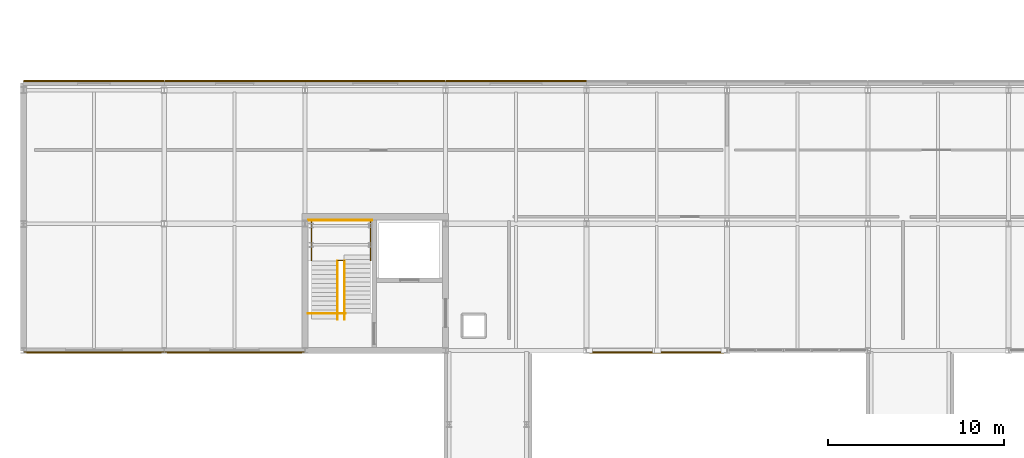
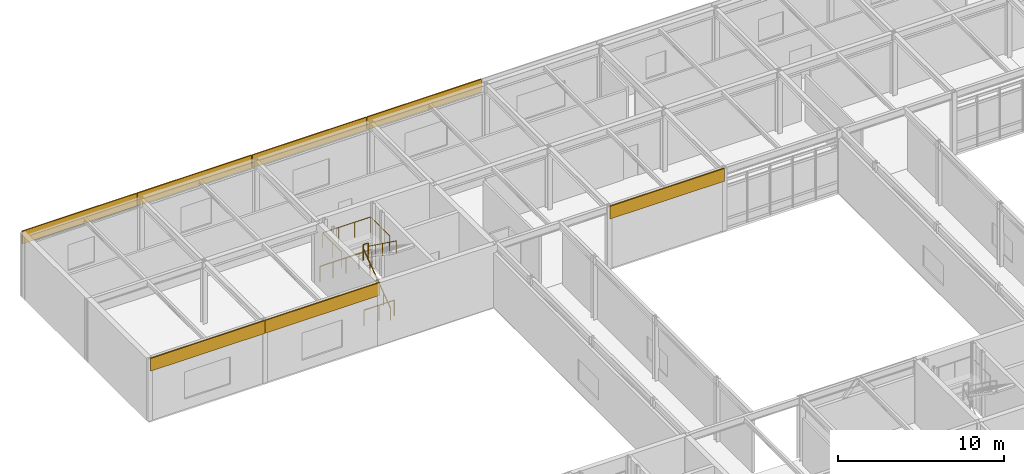
# One storey, part 98 of 104: 7 coverings, 6 railings.
"""IFC4 building model written with IfcOpenShell, lengths in metres."""

from ifc_helpers import new_model, si_unit, direction, frame, origin, origin_2d, place, context, subcontext, project, spatial, rectangle, circle, extrude, material, layer, layer_set, type_object, element, save


model = new_model("IFC4")

# Units and contexts
model_context = context("Model", 3, precision=1e-05, world=origin(), true_north=direction((0.0, 1.0)))
body_context = subcontext(model_context, "Body", "Model", "MODEL_VIEW")
ifc_project = project(units=[si_unit("LENGTHUNIT", "METRE"), si_unit("AREAUNIT", "SQUARE_METRE"), si_unit("VOLUMEUNIT", "CUBIC_METRE"), si_unit("PLANEANGLEUNIT", "RADIAN"), si_unit("MASSUNIT", "GRAM", prefix="KILO")], contexts=[model_context])

# Site, building, storey
site_placement = place(None, origin())
site = spatial("IfcSite", under=ifc_project, at=site_placement, CompositionType="ELEMENT")
building_placement = place(site_placement, origin())
building = spatial("IfcBuilding", under=site, at=building_placement, Name="Zulena Civic Courthouse", CompositionType="ELEMENT")
storey_placement = place(building_placement, frame((0.0, 0.0, 15.60009765625)))
storey = spatial("IfcBuildingStorey", under=building, at=storey_placement, Name="L03", CompositionType="ELEMENT", Elevation=15.60009765625)

# Railings
ifc_material_1 = material(Name="Brushed architectural steel ASTM A36", Category="steel")
railing_type_1 = type_object("IfcRailingType", Name="InteriorGuardrail_1150", PredefinedType="GUARDRAIL", material=ifc_material_1)
railing_1_placement = place(storey_placement, frame((20.199951171875, 53.409912109375, 0.0)))
element("IfcRailing", 1, at=railing_1_placement, inside=storey, type_object=railing_type_1, Name="gr:wellN:K5A:L02", PredefinedType="GUARDRAIL", context=body_context, shape_type="SweptSolid", body=[
    extrude(circle(Radius=0.02392578125, at=origin_2d()), frame((0.00390625, 0.0, 1.1259765625), z_axis=(1.0, 0.0, 0.0), x_axis=(0.0, 1.0, 0.0)), (0.0, 0.0, 1.0), 3.592041015625),
    extrude(circle(Radius=0.02099609375, at=origin_2d()), origin(), (0.0, 0.0, 1.0), 1.097900390625),
    extrude(circle(Radius=0.02099609375, at=origin_2d()), frame((0.89990234375, 0.0, 0.0)), (0.0, 0.0, 1.0), 1.097900390625),
    extrude(circle(Radius=0.02099609375, at=origin_2d()), frame((1.800048828125, 0.0, 0.0)), (0.0, 0.0, 1.0), 1.097900390625),
    extrude(circle(Radius=0.02099609375, at=origin_2d()), frame((2.7001953125, 0.0, 0.0)), (0.0, 0.0, 1.0), 1.097900390625),
    extrude(circle(Radius=0.02099609375, at=origin_2d()), frame((3.60009765625, 0.0, 0.0)), (0.0, 0.0, 1.0), 1.097900390625),
])
railing_2_placement = place(storey_placement, frame((20.179931640625, 48.10009765625, 0.0)))
element("IfcRailing", 2, at=railing_2_placement, inside=storey, type_object=railing_type_1, Name="gr:wells:K5A:L03", PredefinedType="GUARDRAIL", context=body_context, shape_type="SweptSolid", body=[
    extrude(circle(Radius=0.02392578125, at=origin_2d()), frame((0.00390625, 0.0, 1.1259765625), z_axis=(1.0, 0.0, 0.0), x_axis=(0.0, 1.0, 0.0)), (0.0, 0.0, 1.0), 2.112060546875),
    extrude(circle(Radius=0.02099609375, at=origin_2d()), origin(), (0.0, 0.0, 1.0), 1.097900390625),
    extrude(circle(Radius=0.02099609375, at=origin_2d()), frame((1.06005859375, 0.0, 0.0)), (0.0, 0.0, 1.0), 1.097900390625),
    extrude(circle(Radius=0.02099609375, at=origin_2d()), frame((2.1201171875, 0.0, 0.0)), (0.0, 0.0, 1.0), 1.097900390625),
])
railing_3_placement = place(storey_placement, frame((20.3798828125, 51.094482421875, 2.39990234375)))
element("IfcRailing", 3, at=railing_3_placement, inside=storey, type_object=railing_type_1, Name="gr:lnd:K5A:L03", PredefinedType="GUARDRAIL", context=body_context, shape_type="SweptSolid", body=[
    extrude(circle(Radius=0.02392578125, at=origin_2d()), frame((0.0, 0.00390625, 1.1259765625), z_axis=(0.0, 1.0, 0.0), x_axis=(-1.0, 0.0, 0.0)), (0.0, 0.0, 1.0), 2.3173828125),
    extrude(circle(Radius=0.02392578125, at=origin_2d()), frame((0.00390625, 2.325439453125, 1.1259765625), z_axis=(1.0, 0.0, 0.0), x_axis=(0.0, 1.0, 0.0)), (0.0, 0.0, 1.0), 3.33203125),
    extrude(circle(Radius=0.02392578125, at=origin_2d()), frame((3.340087890625, 2.321533203125, 1.1259765625), z_axis=(0.0, -1.0, 0.0), x_axis=(1.0, 0.0, 0.0)), (0.0, 0.0, 1.0), 2.3173828125),
    extrude(circle(Radius=0.02099609375, at=origin_2d()), origin(), (0.0, 0.0, 1.0), 1.097900390625),
    extrude(circle(Radius=0.02099609375, at=origin_2d()), frame((0.0, 1.16259765625, 0.0)), (0.0, 0.0, 1.0), 1.097900390625),
    extrude(circle(Radius=0.02099609375, at=origin_2d()), frame((0.0, 2.325439453125, 0.0)), (0.0, 0.0, 1.0), 1.097900390625),
    extrude(circle(Radius=0.02099609375, at=origin_2d()), frame((1.11328125, 2.325439453125, 0.0)), (0.0, 0.0, 1.0), 1.097900390625),
    extrude(circle(Radius=0.02099609375, at=origin_2d()), frame((2.226806640625, 2.325439453125, 0.0)), (0.0, 0.0, 1.0), 1.097900390625),
    extrude(circle(Radius=0.02099609375, at=origin_2d()), frame((3.340087890625, 2.325439453125, 0.0)), (0.0, 0.0, 1.0), 1.097900390625),
    extrude(circle(Radius=0.02099609375, at=origin_2d()), frame((3.340087890625, 1.16259765625, 0.0)), (0.0, 0.0, 1.0), 1.097900390625),
    extrude(circle(Radius=0.02099609375, at=origin_2d()), frame((3.340087890625, 0.0, 0.0)), (0.0, 0.0, 1.0), 1.097900390625),
])
railing_4_placement = place(storey_placement, frame((21.8798828125, 51.114990234375, 2.39990234375)))
element("IfcRailing", 4, at=railing_4_placement, inside=storey, type_object=railing_type_1, Name="gr:lndslot:K5A:L03", PredefinedType="GUARDRAIL", context=body_context, shape_type="SweptSolid", body=[
    extrude(circle(Radius=0.02392578125, at=origin_2d()), frame((0.00390625, 0.0, 1.1259765625), z_axis=(1.0, 0.0, 0.0), x_axis=(0.0, 1.0, 0.0)), (0.0, 0.0, 1.0), 0.33203125),
    extrude(circle(Radius=0.02099609375, at=origin_2d()), origin(), (0.0, 0.0, 1.0), 1.097900390625),
    extrude(circle(Radius=0.02099609375, at=origin_2d()), frame((0.340087890625, 0.0, 0.0)), (0.0, 0.0, 1.0), 1.097900390625),
])

# Coverings
ifc_material_2 = material(Name="White architectural precast concrete C40/50", Category="concrete")
ifc_layer = layer(ifc_material_2, 0.0849609375)
ifc_layer_set = layer_set([ifc_layer], Name="White architectural precast concrete C40/50")
covering_type = type_object("IfcCoveringType", Name="PrecastSpandrelCladding_85", PredefinedType="CLADDING", material=ifc_layer_set)
for number, where, z_axis, x_axis, name in (
    (5, (8.0, 61.320068359375, 3.659912109375), (0.0, 0.0, 1.0), (1.0, 0.0, 0.0), "clad:sp:V5:L03:1:0"),
    (6, (16.0, 61.320068359375, 3.659912109375), (0.0, 0.0, 1.0), (1.0, 0.0, 0.0), "clad:sp:V5:L03:1:1"),
    (7, (24.0, 61.320068359375, 3.659912109375), (0.0, 0.0, 1.0), (1.0, 0.0, 0.0), "clad:sp:V5:L03:1:2"),
    (8, (32.0, 61.320068359375, 3.659912109375), (0.0, 0.0, 1.0), (1.0, 0.0, 0.0), "clad:sp:V5:L03:1:3"),
    (9, (40.0, 45.8798828125, 3.659912109375), (0.0, 0.0, 1.0), (-1.0, 0.0, 0.0), "clad:sp:V5:L03:5:8"),
    (10, (16.0, 45.8798828125, 3.659912109375), (0.0, 0.0, 1.0), (-1.0, 0.0, 0.0), "clad:sp:V5:L03:5:11"),
    (11, (8.0, 45.8798828125, 3.659912109375), (0.0, 0.0, 1.0), (-1.0, 0.0, 0.0), "clad:sp:V5:L03:5:12"),
):
    element("IfcCovering", number, at=place(storey_placement, frame(where, z_axis=z_axis, x_axis=x_axis)), inside=storey, type_object=covering_type, Name=name, PredefinedType="CLADDING", context=body_context, shape_type="SweptSolid", body=[
        extrude(rectangle(XDim=7.9599609375, YDim=0.0849609375, at=origin_2d()), origin(), (0.0, 0.0, 1.0), 0.93994140625),
    ])

# Railings
railing_type_2 = type_object("IfcRailingType", Name="StairHandrail_920", PredefinedType="HANDRAIL", material=ifc_material_1)
railing_5_placement = place(storey_placement, frame((21.85009765625, 47.780029296875, 0.0)))
element("IfcRailing", 12, at=railing_5_placement, inside=storey, type_object=railing_type_2, Name="hr:K5A:L03:1", PredefinedType="HANDRAIL", context=body_context, shape_type="SweptSolid", body=[
    extrude(circle(Radius=0.02392578125, at=origin_2d()), frame((0.0, 0.003173828125, 0.898193359375), z_axis=(0.0, 0.809967530533, 0.586474721946), x_axis=(-1.0, 0.0, 0.0)), (0.0, 0.0, 1.0), 4.083984375),
    extrude(circle(Radius=0.02099609375, at=origin_2d()), origin(), (0.0, 0.0, 1.0), 0.867919921875),
    extrude(circle(Radius=0.02099609375, at=origin_2d()), frame((0.0, 0.82861328125, 0.60009765625)), (0.0, 0.0, 1.0), 0.867919921875),
    extrude(circle(Radius=0.02099609375, at=origin_2d()), frame((0.0, 1.6572265625, 1.199951171875)), (0.0, 0.0, 1.0), 0.867919921875),
    extrude(circle(Radius=0.02099609375, at=origin_2d()), frame((0.0, 2.48583984375, 1.7998046875)), (0.0, 0.0, 1.0), 0.867919921875),
    extrude(circle(Radius=0.02099609375, at=origin_2d()), frame((0.0, 3.314453125, 2.39990234375)), (0.0, 0.0, 1.0), 0.867919921875),
])
railing_6_placement = place(storey_placement, frame((22.25, 51.094482421875, 2.39990234375)))
element("IfcRailing", 13, at=railing_6_placement, inside=storey, type_object=railing_type_2, Name="hr:K5A:L03:2", PredefinedType="HANDRAIL", context=body_context, shape_type="SweptSolid", body=[
    extrude(circle(Radius=0.02392578125, at=origin_2d()), frame((0.0, -0.003173828125, 0.898193359375), z_axis=(0.0, -0.809967530533, 0.586474721946), x_axis=(1.0, 0.0, 0.0)), (0.0, 0.0, 1.0), 4.083984375),
    extrude(circle(Radius=0.02099609375, at=origin_2d()), origin(), (0.0, 0.0, 1.0), 0.867919921875),
    extrude(circle(Radius=0.02099609375, at=origin_2d()), frame((0.0, -0.82861328125, 0.60009765625)), (0.0, 0.0, 1.0), 0.867919921875),
    extrude(circle(Radius=0.02099609375, at=origin_2d()), frame((0.0, -1.6572265625, 1.199951171875)), (0.0, 0.0, 1.0), 0.867919921875),
    extrude(circle(Radius=0.02099609375, at=origin_2d()), frame((0.0, -2.48583984375, 1.7998046875)), (0.0, 0.0, 1.0), 0.867919921875),
    extrude(circle(Radius=0.02099609375, at=origin_2d()), frame((0.0, -3.314453125, 2.39990234375)), (0.0, 0.0, 1.0), 0.867919921875),
])

save(model, "model.ifc")
